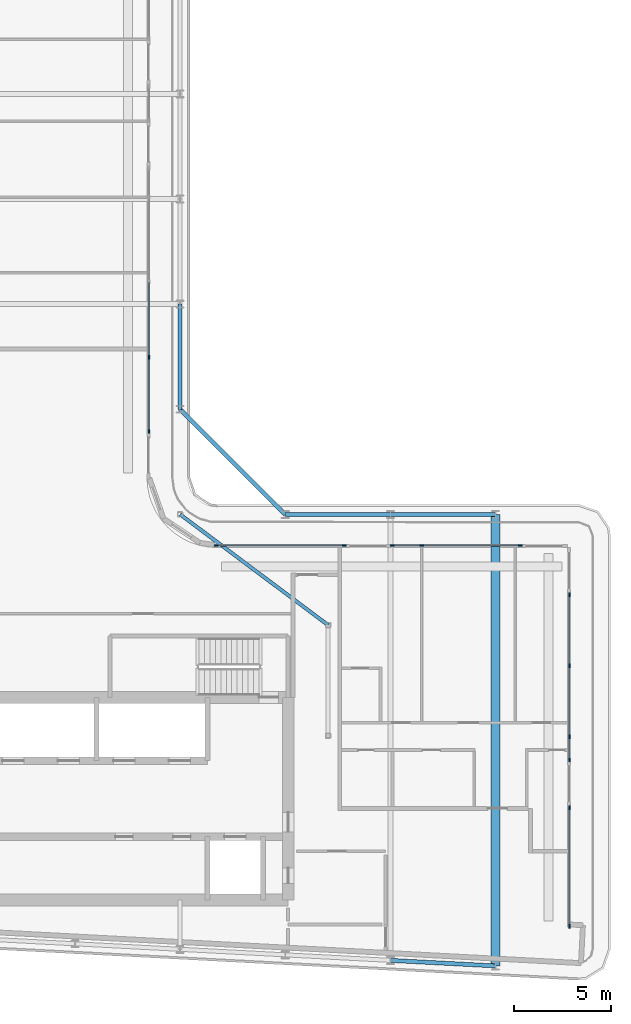
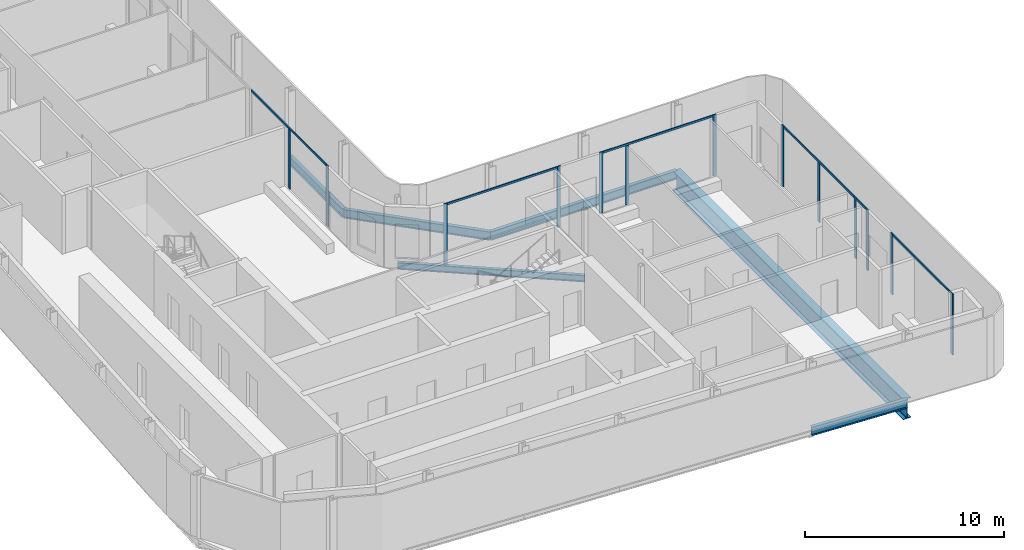
# One storey, part 6 of 21: 19 members, 7 beams, 6 elements without a shape of their own.
"""IFC4 building model written with IfcOpenShell, lengths in metres."""

from ifc_helpers import new_model, si_unit, direction, frame, origin, origin_2d, place, context, subcontext, project, spatial, rectangle, i_section, extrude, material, layer, layer_set, material_profile, profile_set, type_object, element, aggregate, save


model = new_model("IFC4")

# Units and contexts
model_context = context("Model", 3, precision=1e-05, world=origin(), true_north=direction((0.0, 1.0)))
body_context = subcontext(model_context, "Body", "Model", "MODEL_VIEW")
ifc_project = project(units=[si_unit("LENGTHUNIT", "METRE"), si_unit("AREAUNIT", "SQUARE_METRE"), si_unit("VOLUMEUNIT", "CUBIC_METRE"), si_unit("PLANEANGLEUNIT", "RADIAN"), si_unit("MASSUNIT", "GRAM", prefix="KILO")], contexts=[model_context])

# Site, building, storey
site_placement = place(None, origin())
site = spatial("IfcSite", under=ifc_project, at=site_placement, CompositionType="ELEMENT")
building_placement = place(site_placement, origin())
building = spatial("IfcBuilding", under=site, at=building_placement, Name="Kheshtan School and Residences Tower", CompositionType="ELEMENT")
storey_placement = place(building_placement, frame((0.0, 0.0, 317.60009765625)))
storey = spatial("IfcBuildingStorey", under=building, at=storey_placement, Name="L75", CompositionType="ELEMENT", Elevation=317.60009765625)

# Beams
ifc_material_1 = material(Name="Steel ASTM A992 Grade 50", Category="steel")
ifc_material_profile_1 = material_profile(ifc_material_1, i_section(OverallWidth=0.180908203125, OverallDepth=0.4169921875, WebThickness=0.010986328125, FlangeThickness=0.018310546875, FilletRadius=0.012451171875, at=origin_2d()), Name="W410x85")
ifc_profile_set_1 = profile_set([ifc_material_profile_1], Name="Steel ASTM A992 Grade 50")
beam_type_1 = type_object("IfcBeamType", Name="Beam FB3 W410x85 ASTM A992 Grade 50", PredefinedType="BEAM", material=ifc_profile_set_1)
beam_1_placement = place(storey_placement, frame((47.60009765625, 45.60009765625, -0.358642578125), z_axis=(0.800798828004, -0.598933416222, 0.0), x_axis=(0.598933416222, 0.800798828004, 0.0)))
element("IfcBeam", 1, at=beam_1_placement, inside=storey, type_object=beam_type_1, Name="Floor beam IC", PredefinedType="BEAM", context=body_context, shape_type="SweptSolid", body=[
    extrude(i_section(OverallWidth=0.180908203125, OverallDepth=0.4169921875, WebThickness=0.010986328125, FlangeThickness=0.018310546875, FilletRadius=0.012451171875, at=origin_2d()), origin(), (0.0, 0.0, 1.0), 9.490234375),
])
ifc_material_profile_2 = material_profile(ifc_material_1, i_section(OverallWidth=0.208984375, OverallDepth=0.532958984375, WebThickness=0.01025390625, FlangeThickness=0.015625, FilletRadius=0.013916015625, at=origin_2d()), Name="W530x92")
ifc_profile_set_2 = profile_set([ifc_material_profile_2], Name="Steel ASTM A992 Grade 50")
beam_type_2 = type_object("IfcBeamType", Name="Beam SP3 W530x92 ASTM A992 Grade 50", PredefinedType="BEAM", material=ifc_profile_set_2)
beam_2_placement = place(storey_placement, frame((47.60009765625, 56.39990234375, -0.41650390625), z_axis=(0.0, -1.0, 0.0), x_axis=(1.0, 0.0, 0.0)))
element("IfcBeam", 2, at=beam_2_placement, inside=storey, type_object=beam_type_2, Name="Spandrel beam C081-C079", PredefinedType="BEAM", context=body_context, shape_type="SweptSolid", body=[
    extrude(i_section(OverallWidth=0.208984375, OverallDepth=0.532958984375, WebThickness=0.01025390625, FlangeThickness=0.015625, FilletRadius=0.013916015625, at=origin_2d()), origin(), (0.0, 0.0, 1.0), 5.39990234375),
])
beam_3_placement = place(storey_placement, frame((47.60009765625, 51.0, -0.41650390625), z_axis=(0.707106781187, -0.707106781187, 0.0), x_axis=(0.707106781187, 0.707106781187, 0.0)))
element("IfcBeam", 3, at=beam_3_placement, inside=storey, type_object=beam_type_2, Name="Spandrel beam C079-C061", PredefinedType="BEAM", context=body_context, shape_type="SweptSolid", body=[
    extrude(i_section(OverallWidth=0.208984375, OverallDepth=0.532958984375, WebThickness=0.01025390625, FlangeThickness=0.015625, FilletRadius=0.013916015625, at=origin_2d()), origin(), (0.0, 0.0, 1.0), 7.63671875),
])
beam_4_placement = place(storey_placement, frame((53.0, 45.60009765625, -0.41650390625), z_axis=(1.0, 0.0, 0.0), x_axis=(0.0, 1.0, 0.0)))
element("IfcBeam", 4, at=beam_4_placement, inside=storey, type_object=beam_type_2, Name="Spandrel beam C061-C062", PredefinedType="BEAM", context=body_context, shape_type="SweptSolid", body=[
    extrude(i_section(OverallWidth=0.208984375, OverallDepth=0.532958984375, WebThickness=0.01025390625, FlangeThickness=0.015625, FilletRadius=0.013916015625, at=origin_2d()), origin(), (0.0, 0.0, 1.0), 5.39990234375),
])
beam_5_placement = place(storey_placement, frame((58.39990234375, 45.60009765625, -0.41650390625), z_axis=(1.0, 0.0, 0.0), x_axis=(0.0, 1.0, 0.0)))
element("IfcBeam", 5, at=beam_5_placement, inside=storey, type_object=beam_type_2, Name="Spandrel beam C062-C063", PredefinedType="BEAM", context=body_context, shape_type="SweptSolid", body=[
    extrude(i_section(OverallWidth=0.208984375, OverallDepth=0.532958984375, WebThickness=0.01025390625, FlangeThickness=0.015625, FilletRadius=0.013916015625, at=origin_2d()), origin(), (0.0, 0.0, 1.0), 5.400146484375),
])
beam_6_placement = place(storey_placement, frame((63.800048828125, 22.410888671875, -0.41650390625), z_axis=(-0.998618203458, 0.052551724256, 0.0), x_axis=(-0.052551724256, -0.998618203458, 0.0)))
element("IfcBeam", 6, at=beam_6_placement, inside=storey, type_object=beam_type_2, Name="Spandrel beam C016-C018", PredefinedType="BEAM", context=body_context, shape_type="SweptSolid", body=[
    extrude(i_section(OverallWidth=0.208984375, OverallDepth=0.532958984375, WebThickness=0.01025390625, FlangeThickness=0.015625, FilletRadius=0.013916015625, at=origin_2d()), origin(), (0.0, 0.0, 1.0), 5.40771484375),
])

# Curtain wall, members
ifc_material_2 = material(Name="Clear low-e glass in thermally broken aluminium frame", Category="aluminium")
ifc_layer = layer(ifc_material_2, 0.199951171875)
ifc_layer_set = layer_set([ifc_layer], Name="Curtain wall CW-L")
curtain_wall_type = type_object("IfcCurtainWallType", Name="Curtain wall CW-L", PredefinedType="NOTDEFINED", material=ifc_layer_set)
curtain_wall_1_placement = place(storey_placement, origin())
curtain_wall_1 = element("IfcCurtainWall", 7, at=curtain_wall_1_placement, inside=storey, type_object=curtain_wall_type, Name="Curtain wall CWL8", PredefinedType="NOTDEFINED")
ifc_material_3 = material(Name="Thermally broken aluminium, dark bronze anodised", Category="aluminium")
ifc_material_profile_3 = material_profile(ifc_material_3, rectangle(XDim=0.06005859375, YDim=0.199951171875, at=origin_2d()), Name="CW-L mullion 60x200")
ifc_profile_set_3 = profile_set([ifc_material_profile_3], Name="Thermally broken aluminium, dark bronze anodised")
member_type_1 = type_object("IfcMemberType", Name="CW-L mullion 60x200", PredefinedType="MULLION", material=ifc_profile_set_3)
member_1_placement = place(storey_placement, frame((46.0, 53.677001953125, 0.0), z_axis=(0.0, 0.0, 1.0), x_axis=(1.0, 0.0, 0.0)))
member_1 = element("IfcMember", 8, at=member_1_placement, type_object=member_type_1, Name="CWL8 mullion 2", PredefinedType="MULLION", context=body_context, shape_type="SweptSolid", body=[
    extrude(rectangle(XDim=0.06005859375, YDim=0.199951171875, at=origin_2d()), origin(), (0.0, 0.0, 1.0), 3.6298828125),
])
member_2_placement = place(storey_placement, frame((46.0, 49.860107421875, 0.0), z_axis=(0.0, 0.0, 1.0), x_axis=(1.0, 0.0, 0.0)))
member_2 = element("IfcMember", 9, at=member_2_placement, type_object=member_type_1, Name="CWL8 mullion 3", PredefinedType="MULLION", context=body_context, shape_type="SweptSolid", body=[
    extrude(rectangle(XDim=0.06005859375, YDim=0.199951171875, at=origin_2d()), origin(), (0.0, 0.0, 1.0), 3.75),
])

curtain_wall_2_placement = place(storey_placement, origin())
curtain_wall_2 = element("IfcCurtainWall", 10, at=curtain_wall_2_placement, inside=storey, type_object=curtain_wall_type, Name="Curtain wall CWL1233", PredefinedType="NOTDEFINED")
member_3_placement = place(storey_placement, frame((49.4599609375, 44.0, 0.0), z_axis=(0.0, 0.0, 1.0), x_axis=(0.0, 1.0, 0.0)))
member_3 = element("IfcMember", 11, at=member_3_placement, type_object=member_type_1, Name="CWL1233 mullion 1", PredefinedType="MULLION", context=body_context, shape_type="SweptSolid", body=[
    extrude(rectangle(XDim=0.06005859375, YDim=0.199951171875, at=origin_2d()), origin(), (0.0, 0.0, 1.0), 3.75),
])
member_4_placement = place(storey_placement, frame((56.034912109375, 44.0, 0.0), z_axis=(0.0, 0.0, 1.0), x_axis=(0.0, 1.0, 0.0)))
member_4 = element("IfcMember", 12, at=member_4_placement, type_object=member_type_1, Name="CWL1233 mullion 2", PredefinedType="MULLION", context=body_context, shape_type="SweptSolid", body=[
    extrude(rectangle(XDim=0.06005859375, YDim=0.199951171875, at=origin_2d()), origin(), (0.0, 0.0, 1.0), 3.75),
])

curtain_wall_3_placement = place(storey_placement, origin())
curtain_wall_3 = element("IfcCurtainWall", 13, at=curtain_wall_3_placement, inside=storey, type_object=curtain_wall_type, Name="Curtain wall CWL1234", PredefinedType="NOTDEFINED")
member_5_placement = place(storey_placement, frame((58.4951171875, 44.0, 0.0), z_axis=(0.0, 0.0, 1.0), x_axis=(0.0, 1.0, 0.0)))
member_5 = element("IfcMember", 14, at=member_5_placement, type_object=member_type_1, Name="CWL1234 mullion 1", PredefinedType="MULLION", context=body_context, shape_type="SweptSolid", body=[
    extrude(rectangle(XDim=0.06005859375, YDim=0.199951171875, at=origin_2d()), origin(), (0.0, 0.0, 1.0), 3.75),
])
member_6_placement = place(storey_placement, frame((60.0, 44.0, 0.0), z_axis=(0.0, 0.0, 1.0), x_axis=(0.0, 1.0, 0.0)))
member_6 = element("IfcMember", 15, at=member_6_placement, type_object=member_type_1, Name="CWL1234 mullion 2", PredefinedType="MULLION", context=body_context, shape_type="SweptSolid", body=[
    extrude(rectangle(XDim=0.06005859375, YDim=0.199951171875, at=origin_2d()), origin(), (0.0, 0.0, 1.0), 3.6298828125),
])
member_7_placement = place(storey_placement, frame((65.070068359375, 44.0, 0.0), z_axis=(0.0, 0.0, 1.0), x_axis=(0.0, 1.0, 0.0)))
member_7 = element("IfcMember", 16, at=member_7_placement, type_object=member_type_1, Name="CWL1234 mullion 3", PredefinedType="MULLION", context=body_context, shape_type="SweptSolid", body=[
    extrude(rectangle(XDim=0.06005859375, YDim=0.199951171875, at=origin_2d()), origin(), (0.0, 0.0, 1.0), 3.75),
])

curtain_wall_4_placement = place(storey_placement, origin())
curtain_wall_4 = element("IfcCurtainWall", 17, at=curtain_wall_4_placement, inside=storey, type_object=curtain_wall_type, Name="Curtain wall CWL13e", PredefinedType="NOTDEFINED")
member_8_placement = place(storey_placement, frame((67.60009765625, 41.469970703125, 0.0), z_axis=(0.0, 0.0, 1.0), x_axis=(1.0, 0.0, 0.0)))
member_8 = element("IfcMember", 18, at=member_8_placement, type_object=member_type_1, Name="CWL13e mullion 1", PredefinedType="MULLION", context=body_context, shape_type="SweptSolid", body=[
    extrude(rectangle(XDim=0.06005859375, YDim=0.199951171875, at=origin_2d()), origin(), (0.0, 0.0, 1.0), 3.75),
])
member_9_placement = place(storey_placement, frame((67.60009765625, 37.829833984375, 0.0), z_axis=(0.0, 0.0, 1.0), x_axis=(1.0, 0.0, 0.0)))
member_9 = element("IfcMember", 19, at=member_9_placement, type_object=member_type_1, Name="CWL13e mullion 2", PredefinedType="MULLION", context=body_context, shape_type="SweptSolid", body=[
    extrude(rectangle(XDim=0.06005859375, YDim=0.199951171875, at=origin_2d()), origin(), (0.0, 0.0, 1.0), 3.6298828125),
])
member_10_placement = place(storey_placement, frame((67.60009765625, 34.189453125, 0.0), z_axis=(0.0, 0.0, 1.0), x_axis=(1.0, 0.0, 0.0)))
member_10 = element("IfcMember", 20, at=member_10_placement, type_object=member_type_1, Name="CWL13e mullion 3", PredefinedType="MULLION", context=body_context, shape_type="SweptSolid", body=[
    extrude(rectangle(XDim=0.06005859375, YDim=0.199951171875, at=origin_2d()), origin(), (0.0, 0.0, 1.0), 3.75),
])

# Curtain wall, member
curtain_wall_5_placement = place(storey_placement, origin())
curtain_wall_5 = element("IfcCurtainWall", 21, at=curtain_wall_5_placement, inside=storey, type_object=curtain_wall_type, Name="Curtain wall CWL13f", PredefinedType="NOTDEFINED")
member_11_placement = place(storey_placement, frame((67.60009765625, 32.989501953125, 0.0), z_axis=(0.0, 0.0, 1.0), x_axis=(1.0, 0.0, 0.0)))
member_11 = element("IfcMember", 22, at=member_11_placement, type_object=member_type_1, Name="CWL13f mullion 2", PredefinedType="MULLION", context=body_context, shape_type="SweptSolid", body=[
    extrude(rectangle(XDim=0.06005859375, YDim=0.199951171875, at=origin_2d()), origin(), (0.0, 0.0, 1.0), 3.75),
])

# Curtain wall, members
curtain_wall_6_placement = place(storey_placement, origin())
curtain_wall_6 = element("IfcCurtainWall", 23, at=curtain_wall_6_placement, inside=storey, type_object=curtain_wall_type, Name="Curtain wall CWL13g", PredefinedType="NOTDEFINED")
member_12_placement = place(storey_placement, frame((67.60009765625, 30.529541015625, 0.0), z_axis=(0.0, 0.0, 1.0), x_axis=(1.0, 0.0, 0.0)))
member_12 = element("IfcMember", 24, at=member_12_placement, type_object=member_type_1, Name="CWL13g mullion 1", PredefinedType="MULLION", context=body_context, shape_type="SweptSolid", body=[
    extrude(rectangle(XDim=0.06005859375, YDim=0.199951171875, at=origin_2d()), origin(), (0.0, 0.0, 1.0), 3.75),
])
member_13_placement = place(storey_placement, frame((67.60009765625, 24.448974609375, 0.0), z_axis=(0.0, 0.0, 1.0), x_axis=(1.0, 0.0, 0.0)))
member_13 = element("IfcMember", 25, at=member_13_placement, type_object=member_type_1, Name="CWL13g mullion 2", PredefinedType="MULLION", context=body_context, shape_type="SweptSolid", body=[
    extrude(rectangle(XDim=0.06005859375, YDim=0.199951171875, at=origin_2d()), origin(), (0.0, 0.0, 1.0), 3.75),
])

# Member
ifc_material_profile_4 = material_profile(ifc_material_3, rectangle(XDim=0.06005859375, YDim=0.1201171875, at=origin_2d()), Name="CW-L transom 60x120")
ifc_profile_set_4 = profile_set([ifc_material_profile_4], Name="Thermally broken aluminium, dark bronze anodised")
member_type_2 = type_object("IfcMemberType", Name="CW-L transom 60x120", PredefinedType="USERDEFINED", material=ifc_profile_set_4)
member_14_placement = place(storey_placement, frame((46.0, 57.52392578125, 3.68994140625), z_axis=(0.0, -1.0, 0.0), x_axis=(1.0, 0.0, 0.0)))
member_14 = element("IfcMember", 26, at=member_14_placement, type_object=member_type_2, Name="CWL8 transom 1", ObjectType="TRANSOM", PredefinedType="USERDEFINED", context=body_context, shape_type="SweptSolid", body=[
    extrude(rectangle(XDim=0.06005859375, YDim=0.1201171875, at=origin_2d()), origin(), (0.0, 0.0, 1.0), 7.634033203125),
])

aggregate(curtain_wall_1, [member_1, member_2, member_14])

member_15_placement = place(storey_placement, frame((49.489990234375, 44.0, 3.68994140625), z_axis=(1.0, 0.0, 0.0), x_axis=(0.0, 1.0, 0.0)))
member_15 = element("IfcMember", 27, at=member_15_placement, type_object=member_type_2, Name="CWL1233 transom 1", ObjectType="TRANSOM", PredefinedType="USERDEFINED", context=body_context, shape_type="SweptSolid", body=[
    extrude(rectangle(XDim=0.06005859375, YDim=0.1201171875, at=origin_2d()), origin(), (0.0, 0.0, 1.0), 6.514892578125),
])

aggregate(curtain_wall_2, [member_3, member_4, member_15])

member_16_placement = place(storey_placement, frame((58.52490234375, 44.0, 3.68994140625), z_axis=(1.0, 0.0, 0.0), x_axis=(0.0, 1.0, 0.0)))
member_16 = element("IfcMember", 28, at=member_16_placement, type_object=member_type_2, Name="CWL1234 transom 1", ObjectType="TRANSOM", PredefinedType="USERDEFINED", context=body_context, shape_type="SweptSolid", body=[
    extrude(rectangle(XDim=0.06005859375, YDim=0.1201171875, at=origin_2d()), origin(), (0.0, 0.0, 1.0), 6.51513671875),
])

aggregate(curtain_wall_3, [member_5, member_6, member_7, member_16])

member_17_placement = place(storey_placement, frame((67.60009765625, 41.43994140625, 3.68994140625), z_axis=(0.0, -1.0, 0.0), x_axis=(1.0, 0.0, 0.0)))
member_17 = element("IfcMember", 29, at=member_17_placement, type_object=member_type_2, Name="CWL13e transom 1", ObjectType="TRANSOM", PredefinedType="USERDEFINED", context=body_context, shape_type="SweptSolid", body=[
    extrude(rectangle(XDim=0.06005859375, YDim=0.1201171875, at=origin_2d()), origin(), (0.0, 0.0, 1.0), 7.220458984375),
])

aggregate(curtain_wall_4, [member_8, member_9, member_10, member_17])

member_18_placement = place(storey_placement, frame((67.60009765625, 34.159423828125, 3.68994140625), z_axis=(0.0, -1.0, 0.0), x_axis=(1.0, 0.0, 0.0)))
member_18 = element("IfcMember", 30, at=member_18_placement, type_object=member_type_2, Name="CWL13f transom 1", ObjectType="TRANSOM", PredefinedType="USERDEFINED", context=body_context, shape_type="SweptSolid", body=[
    extrude(rectangle(XDim=0.06005859375, YDim=0.1201171875, at=origin_2d()), origin(), (0.0, 0.0, 1.0), 1.139892578125),
])

aggregate(curtain_wall_5, [member_11, member_18])

member_19_placement = place(storey_placement, frame((67.60009765625, 30.49951171875, 3.68994140625), z_axis=(0.0, -1.0, 0.0), x_axis=(1.0, 0.0, 0.0)))
member_19 = element("IfcMember", 31, at=member_19_placement, type_object=member_type_2, Name="CWL13g transom 1", ObjectType="TRANSOM", PredefinedType="USERDEFINED", context=body_context, shape_type="SweptSolid", body=[
    extrude(rectangle(XDim=0.06005859375, YDim=0.1201171875, at=origin_2d()), origin(), (0.0, 0.0, 1.0), 6.0205078125),
])

aggregate(curtain_wall_6, [member_12, member_13, member_19])

# Beam
ifc_material_profile_5 = material_profile(ifc_material_1, i_section(OverallWidth=0.449951171875, OverallDepth=1.25, WebThickness=0.02490234375, FlangeThickness=0.044921875, FilletRadius=0.03759765625, at=origin_2d()), Name="WWF1250x546")
ifc_profile_set_5 = profile_set([ifc_material_profile_5], Name="Steel ASTM A992 Grade 50")
beam_type_3 = type_object("IfcBeamType", Name="Transfer girder TG4 WWF1250x546 ASTM A992 Grade 50", PredefinedType="BEAM", material=ifc_profile_set_5)
beam_7_placement = place(storey_placement, frame((63.800048828125, 45.60009765625, -0.775146484375), z_axis=(0.0, -1.0, 0.0), x_axis=(1.0, 0.0, 0.0)))
element("IfcBeam", 32, at=beam_7_placement, inside=storey, type_object=beam_type_3, Name="Transfer girder C063-C016", PredefinedType="BEAM", context=body_context, shape_type="SweptSolid", body=[
    extrude(i_section(OverallWidth=0.449951171875, OverallDepth=1.25, WebThickness=0.02490234375, FlangeThickness=0.044921875, FilletRadius=0.03759765625, at=origin_2d()), origin(), (0.0, 0.0, 1.0), 23.189208984375),
])

save(model, "model.ifc")
